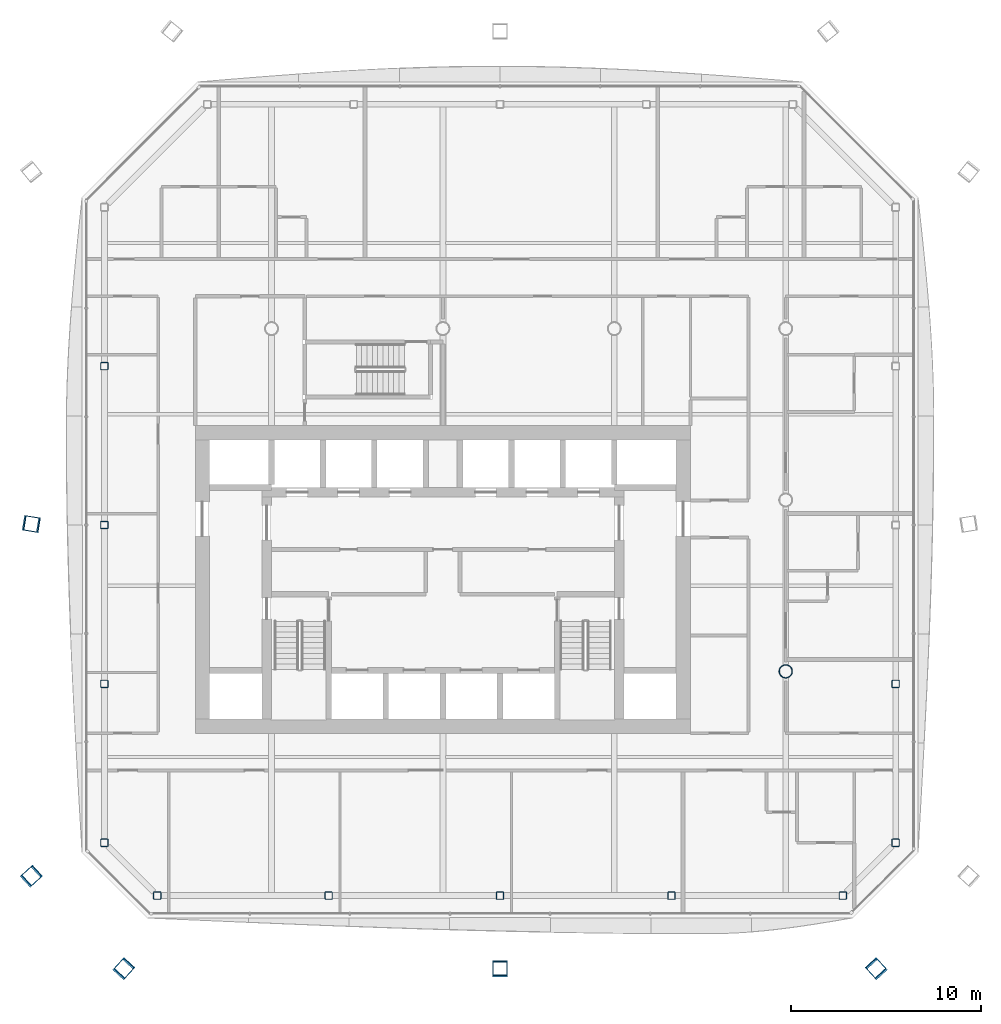
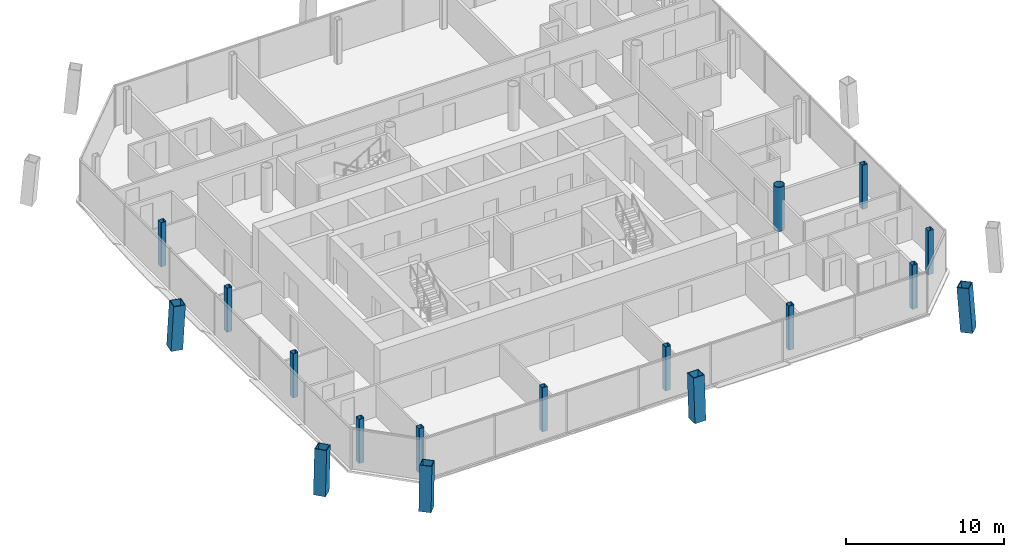
# One storey, part 1 of 18: 17 columns.
"""IFC4 building model written with IfcOpenShell, lengths in metres."""

from ifc_helpers import new_model, si_unit, direction, frame, origin, origin_2d, place, context, subcontext, project, spatial, hollow_rectangle, hollow_circle, extrude, material, material_profile, profile_set, type_object, element, save


model = new_model("IFC4")

# Units and contexts
model_context = context("Model", 3, precision=1e-05, world=origin(), true_north=direction((0.0, 1.0)))
body_context = subcontext(model_context, "Body", "Model", "MODEL_VIEW")
ifc_project = project(units=[si_unit("LENGTHUNIT", "METRE"), si_unit("AREAUNIT", "SQUARE_METRE"), si_unit("VOLUMEUNIT", "CUBIC_METRE"), si_unit("PLANEANGLEUNIT", "RADIAN"), si_unit("MASSUNIT", "GRAM", prefix="KILO")], contexts=[model_context])

# Site, building, storey
site_placement = place(None, origin())
site = spatial("IfcSite", under=ifc_project, at=site_placement, CompositionType="ELEMENT")
building_placement = place(site_placement, origin())
building = spatial("IfcBuilding", under=site, at=building_placement, Name="Tskaro Facet Tower", CompositionType="ELEMENT")
storey_placement = place(building_placement, frame((0.0, 0.0, 155.5)))
storey = spatial("IfcBuildingStorey", under=building, at=storey_placement, Name="L38", CompositionType="ELEMENT", Elevation=155.5)

# Columns
ifc_material_1 = material(Name="Steel S460M", Category="steel")
ifc_material_profile_1 = material_profile(ifc_material_1, hollow_rectangle(XDim=0.800048828125, YDim=0.800048828125, WallThickness=0.050048828125, at=origin_2d()), Name="BOX 800x800x50")
ifc_profile_set_1 = profile_set([ifc_material_profile_1], Name="Steel S460M")
column_type_1 = type_object("IfcColumnType", Name="BOX 800x800x50 mega column", PredefinedType="COLUMN", material=ifc_profile_set_1)
column_1_placement = place(storey_placement, frame((-16.783935546875, -24.64111328125, 0.0), z_axis=(0.048987552346, 0.053427944517, 0.997369377142), x_axis=(-0.737072109445, 0.675814105711, 0.0)))
element("IfcColumn", 1, at=column_1_placement, inside=storey, type_object=column_type_1, Name="BOX 800x800x50 MC01/3", PredefinedType="COLUMN", context=body_context, shape_type="SweptSolid", body=[
    extrude(hollow_rectangle(XDim=0.800048828125, YDim=0.800048828125, WallThickness=0.050048828125, at=origin_2d()), origin(), (0.0, 0.0, 1.0), 3.408935546875),
])
column_2_placement = place(storey_placement, frame((3.0, -24.64111328125, 0.0), z_axis=(0.0, 0.053492167796, 0.998568269066), x_axis=(-1.0, 0.0, 0.0)))
element("IfcColumn", 2, at=column_2_placement, inside=storey, type_object=column_type_1, Name="BOX 800x800x50 MC02/3", PredefinedType="COLUMN", context=body_context, shape_type="SweptSolid", body=[
    extrude(hollow_rectangle(XDim=0.800048828125, YDim=0.800048828125, WallThickness=0.050048828125, at=origin_2d()), origin(), (0.0, 0.0, 1.0), 3.40478515625),
])
column_3_placement = place(storey_placement, frame((22.783935546875, -24.64111328125, 0.0), z_axis=(-0.048987552346, 0.053427944517, 0.997369377142), x_axis=(-0.737072109445, -0.675814105711, 0.0)))
element("IfcColumn", 3, at=column_3_placement, inside=storey, type_object=column_type_1, Name="BOX 800x800x50 MC03/3", PredefinedType="COLUMN", context=body_context, shape_type="SweptSolid", body=[
    extrude(hollow_rectangle(XDim=0.800048828125, YDim=0.800048828125, WallThickness=0.050048828125, at=origin_2d()), origin(), (0.0, 0.0, 1.0), 3.408935546875),
])
column_4_placement = place(storey_placement, frame((-21.64111328125, -1.256103515625, 0.0), z_axis=(0.053490121079, -0.008747714171, 0.998530061863), x_axis=(0.161394864897, 0.986889911583, 0.0)))
element("IfcColumn", 4, at=column_4_placement, inside=storey, type_object=column_type_1, Name="BOX 800x800x50 MC11/3", PredefinedType="COLUMN", context=body_context, shape_type="SweptSolid", body=[
    extrude(hollow_rectangle(XDim=0.800048828125, YDim=0.800048828125, WallThickness=0.050048828125, at=origin_2d()), origin(), (0.0, 0.0, 1.0), 3.405029296875),
])
column_5_placement = place(storey_placement, frame((-21.64111328125, -19.783935546875, 0.0), z_axis=(0.053427944517, 0.048987552346, 0.997369377142), x_axis=(-0.675814105711, 0.737072109445, 0.0)))
element("IfcColumn", 5, at=column_5_placement, inside=storey, type_object=column_type_1, Name="BOX 800x800x50 MC12/3", PredefinedType="COLUMN", context=body_context, shape_type="SweptSolid", body=[
    extrude(hollow_rectangle(XDim=0.800048828125, YDim=0.800048828125, WallThickness=0.050048828125, at=origin_2d()), origin(), (0.0, 0.0, 1.0), 3.408935546875),
])
ifc_material_2 = material(Name="Steel S355J2H", Category="steel")
ifc_material_profile_2 = material_profile(ifc_material_2, hollow_circle(Radius=0.35546875, WallThickness=0.031982421875, at=origin_2d()), Name="CHS 711x32")
ifc_profile_set_2 = profile_set([ifc_material_profile_2], Name="Steel S355J2H")
column_type_2 = type_object("IfcColumnType", Name="CHS 711x32 interior column", PredefinedType="COLUMN", material=ifc_profile_set_2)
column_6_placement = place(storey_placement, frame((18.0, -9.0, 0.0), z_axis=(0.0, 0.0, 1.0), x_axis=(1.0, 0.0, 0.0)))
element("IfcColumn", 6, at=column_6_placement, inside=storey, type_object=column_type_2, Name="CHS 711x32 C6C/3", PredefinedType="COLUMN", context=body_context, shape_type="SweptSolid", body=[
    extrude(hollow_circle(Radius=0.35546875, WallThickness=0.031982421875, at=origin_2d()), origin(), (0.0, 0.0, 1.0), 3.39990234375),
])
ifc_material_profile_3 = material_profile(ifc_material_2, hollow_rectangle(XDim=0.39990234375, YDim=0.39990234375, WallThickness=0.02001953125, InnerFilletRadius=0.030029296875, OuterFilletRadius=0.050048828125, at=origin_2d()), Name="SHS 400x400x20")
ifc_profile_set_3 = profile_set([ifc_material_profile_3], Name="Steel S355J2H")
column_type_3 = type_object("IfcColumnType", Name="SHS 400x400x20 ring column", PredefinedType="COLUMN", material=ifc_profile_set_3)
for number, where, z_axis, x_axis, name in (
    (7, (-14.9990234375, -20.77392578125, 0.0), (0.0, 0.0, 1.0), (1.0, 0.0, 0.0), "SHS 400x400x20 RS-1/3"),
    (8, (-6.0, -20.77392578125, 0.0), (0.0, 0.0, 1.0), (1.0, 0.0, 0.0), "SHS 400x400x20 RS-2/3"),
    (9, (3.0, -20.77392578125, 0.0), (0.0, 0.0, 1.0), (1.0, 0.0, 0.0), "SHS 400x400x20 RS-3/3"),
    (10, (12.0, -20.77392578125, 0.0), (0.0, 0.0, 1.0), (1.0, 0.0, 0.0), "SHS 400x400x20 RS-4/3"),
    (11, (20.9990234375, -20.77392578125, 0.0), (0.0, 0.0, 1.0), (1.0, 0.0, 0.0), "SHS 400x400x20 RSE-1/3"),
    (12, (23.77392578125, -17.9990234375, 0.0), (0.0, 0.0, 1.0), (1.0, 0.0, 0.0), "SHS 400x400x20 RE-1/3"),
    (13, (23.77392578125, -9.656982421875, 0.0), (0.0, 0.0, 1.0), (1.0, 0.0, 0.0), "SHS 400x400x20 RE-2/3"),
    (14, (-17.77392578125, 7.02587890625, 0.0), (0.0, 0.0, 1.0), (1.0, 0.0, 0.0), "SHS 400x400x20 RW-2/3"),
    (15, (-17.77392578125, -1.31494140625, 0.0), (0.0, 0.0, 1.0), (1.0, 0.0, 0.0), "SHS 400x400x20 RW-3/3"),
    (16, (-17.77392578125, -9.656982421875, 0.0), (0.0, 0.0, 1.0), (1.0, 0.0, 0.0), "SHS 400x400x20 RW-4/3"),
    (17, (-17.77392578125, -17.9990234375, 0.0), (0.0, 0.0, 1.0), (1.0, 0.0, 0.0), "SHS 400x400x20 RSW-1/3"),
):
    element("IfcColumn", number, at=place(storey_placement, frame(where, z_axis=z_axis, x_axis=x_axis)), inside=storey, type_object=column_type_3, Name=name, PredefinedType="COLUMN", context=body_context, shape_type="SweptSolid", body=[
        extrude(hollow_rectangle(XDim=0.39990234375, YDim=0.39990234375, WallThickness=0.02001953125, InnerFilletRadius=0.030029296875, OuterFilletRadius=0.050048828125, at=origin_2d()), origin(), (0.0, 0.0, 1.0), 3.39990234375),
    ])

save(model, "model.ifc")
